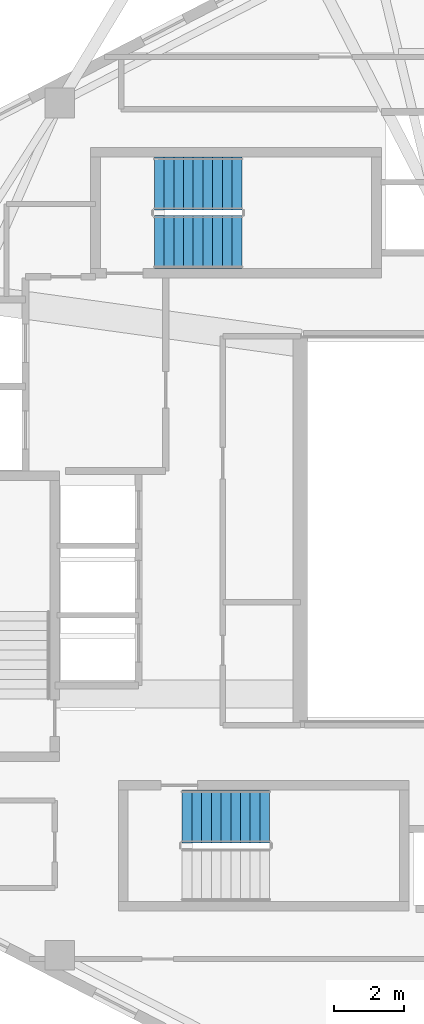
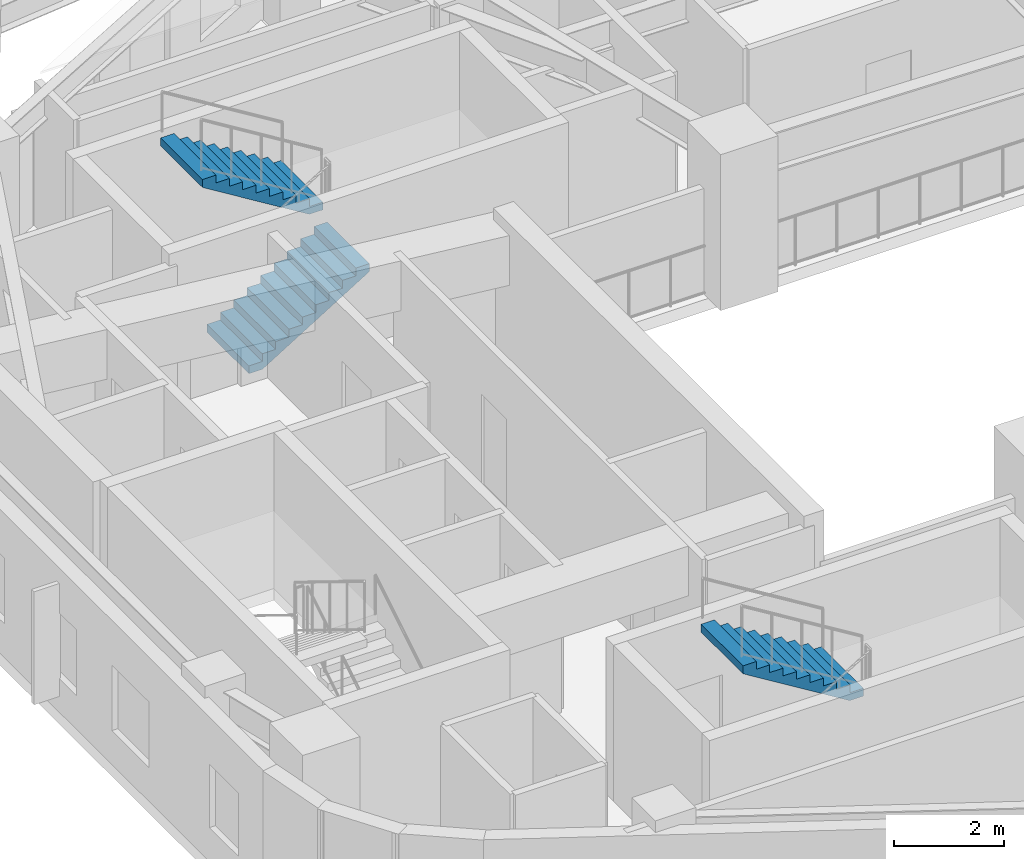
# One storey, part 6 of 7: 3 stair flights, 2 elements without a shape of their own.
"""IFC4 building model written with IfcOpenShell, lengths in metres."""

from ifc_helpers import new_model, si_unit, direction, frame, origin, place, context, subcontext, project, spatial, polyline, outline, extrude, material, type_object, element, aggregate, save


model = new_model("IFC4")

# Units and contexts
model_context = context("Model", 3, precision=1e-05, world=origin(), true_north=direction((0.0, 1.0)))
body_context = subcontext(model_context, "Body", "Model", "MODEL_VIEW")
ifc_project = project(units=[si_unit("LENGTHUNIT", "METRE"), si_unit("AREAUNIT", "SQUARE_METRE"), si_unit("VOLUMEUNIT", "CUBIC_METRE"), si_unit("PLANEANGLEUNIT", "RADIAN"), si_unit("MASSUNIT", "GRAM", prefix="KILO"), si_unit("THERMODYNAMICTEMPERATUREUNIT", "KELVIN"), si_unit("POWERUNIT", "WATT")], contexts=[model_context])

# Site, building, storey
site_placement = place(None, origin())
site = spatial("IfcSite", under=ifc_project, at=site_placement, CompositionType="ELEMENT")
building_placement = place(site_placement, origin())
building = spatial("IfcBuilding", under=site, at=building_placement, Name="Skarre Station Tower", CompositionType="ELEMENT")
storey_placement = place(building_placement, frame((0.0, 0.0, 199.89990234375)))
storey = spatial("IfcBuildingStorey", under=building, at=storey_placement, Name="L54", CompositionType="ELEMENT", Elevation=199.89990234375)

# Stair, stair flight
ifc_material = material(Name="Concrete C40/50", Category="concrete")
stair_type_1 = type_object("IfcStairType", Name="Reinforced Concrete Exit Stair ST-2", PredefinedType="HALF_TURN_STAIR", material=ifc_material)
stair_1_placement = place(storey_placement, origin())
stair_1 = element("IfcStair", 1, at=stair_1_placement, inside=storey, type_object=stair_type_1, Name="L54 Core Exit Stair ST-2", PredefinedType="HALF_TURN_STAIR")
stair_flight_type_1 = type_object("IfcStairFlightType", Name="Reinforced Concrete Stair Flight ST-2", PredefinedType="STRAIGHT", material=ifc_material)
stair_flight_1_placement = place(storey_placement, frame((26.669921875, 15.739990234375, 1.72509765625), z_axis=(0.0, 0.0, 1.0), x_axis=(-1.0, 0.0, 0.0)))
stair_flight_1 = element("IfcStairFlight", 2, at=stair_flight_1_placement, type_object=stair_flight_type_1, Name="ST-2 flight 2", NumberOfRisers=10, NumberOfTreads=9, PredefinedType="STRAIGHT", RiserHeight=0.1725, TreadLength=0.28, context=body_context, shape_type="SweptSolid", body=[
    extrude(outline(polyline([(0.0, 0.0), (0.0, 0.172607421875), (0.280029296875, 0.172607421875), (0.280029296875, 0.344970703125), (0.56005859375, 0.344970703125), (0.56005859375, 0.517578125), (0.840087890625, 0.517578125), (0.840087890625, 0.68994140625), (1.1201171875, 0.68994140625), (1.1201171875, 0.862548828125), (1.39990234375, 0.862548828125), (1.39990234375, 1.034912109375), (1.679931640625, 1.034912109375), (1.679931640625, 1.20751953125), (1.9599609375, 1.20751953125), (1.9599609375, 1.3798828125), (2.239990234375, 1.3798828125), (2.239990234375, 1.552490234375), (2.52001953125, 1.552490234375), (2.52001953125, 1.72509765625), (2.52001953125, 1.37646484375), (0.285888671875, 0.0), (0.0, 0.0)])), frame((0.0, 0.760009765625, 0.0), z_axis=(0.0, -1.0, 0.0), x_axis=(1.0, 0.0, 0.0)), (0.0, 0.0, 1.0), 1.52001953125),
])
aggregate(stair_1, [stair_flight_1])

# Stair, stair flights
stair_type_2 = type_object("IfcStairType", Name="Reinforced Concrete Exit Stair ST-3", PredefinedType="HALF_TURN_STAIR", material=ifc_material)
stair_2_placement = place(storey_placement, origin())
stair_2 = element("IfcStair", 3, at=stair_2_placement, inside=storey, type_object=stair_type_2, Name="L54 Core Exit Stair ST-3", PredefinedType="HALF_TURN_STAIR")
stair_flight_type_2 = type_object("IfcStairFlightType", Name="Reinforced Concrete Stair Flight ST-3", PredefinedType="STRAIGHT", material=ifc_material)
stair_flight_2_placement = place(storey_placement, frame((23.35009765625, 32.260009765625, 0.0), z_axis=(0.0, 0.0, 1.0), x_axis=(1.0, 0.0, 0.0)))
stair_flight_2 = element("IfcStairFlight", 4, at=stair_flight_2_placement, type_object=stair_flight_type_2, Name="ST-3 flight 1", NumberOfRisers=10, NumberOfTreads=9, PredefinedType="STRAIGHT", RiserHeight=0.1725, TreadLength=0.28, context=body_context, shape_type="SweptSolid", body=[
    extrude(outline(polyline([(0.0, 0.0), (0.0, 0.172607421875), (0.280029296875, 0.172607421875), (0.280029296875, 0.344970703125), (0.56005859375, 0.344970703125), (0.56005859375, 0.517578125), (0.840087890625, 0.517578125), (0.840087890625, 0.68994140625), (1.1201171875, 0.68994140625), (1.1201171875, 0.862548828125), (1.39990234375, 0.862548828125), (1.39990234375, 1.034912109375), (1.679931640625, 1.034912109375), (1.679931640625, 1.20751953125), (1.9599609375, 1.20751953125), (1.9599609375, 1.3798828125), (2.239990234375, 1.3798828125), (2.239990234375, 1.552490234375), (2.52001953125, 1.552490234375), (2.52001953125, 1.72509765625), (2.52001953125, 1.37646484375), (0.285888671875, 0.0), (0.0, 0.0)])), frame((0.0, 0.760009765625, 0.0), z_axis=(0.0, -1.0, 0.0), x_axis=(1.0, 0.0, 0.0)), (0.0, 0.0, 1.0), 1.52001953125),
])
stair_flight_3_placement = place(storey_placement, frame((25.8701171875, 33.93994140625, 1.72509765625), z_axis=(0.0, 0.0, 1.0), x_axis=(-1.0, 0.0, 0.0)))
stair_flight_3 = element("IfcStairFlight", 5, at=stair_flight_3_placement, type_object=stair_flight_type_2, Name="ST-3 flight 2", NumberOfRisers=10, NumberOfTreads=9, PredefinedType="STRAIGHT", RiserHeight=0.1725, TreadLength=0.28, context=body_context, shape_type="SweptSolid", body=[
    extrude(outline(polyline([(0.0, 0.0), (0.0, 0.172607421875), (0.280029296875, 0.172607421875), (0.280029296875, 0.344970703125), (0.56005859375, 0.344970703125), (0.56005859375, 0.517578125), (0.840087890625, 0.517578125), (0.840087890625, 0.68994140625), (1.1201171875, 0.68994140625), (1.1201171875, 0.862548828125), (1.39990234375, 0.862548828125), (1.39990234375, 1.034912109375), (1.679931640625, 1.034912109375), (1.679931640625, 1.20751953125), (1.9599609375, 1.20751953125), (1.9599609375, 1.3798828125), (2.239990234375, 1.3798828125), (2.239990234375, 1.552490234375), (2.52001953125, 1.552490234375), (2.52001953125, 1.72509765625), (2.52001953125, 1.37646484375), (0.285888671875, 0.0), (0.0, 0.0)])), frame((0.0, 0.760009765625, 0.0), z_axis=(0.0, -1.0, 0.0), x_axis=(1.0, 0.0, 0.0)), (0.0, 0.0, 1.0), 1.52001953125),
])
aggregate(stair_2, [stair_flight_2, stair_flight_3])

save(model, "model.ifc")
